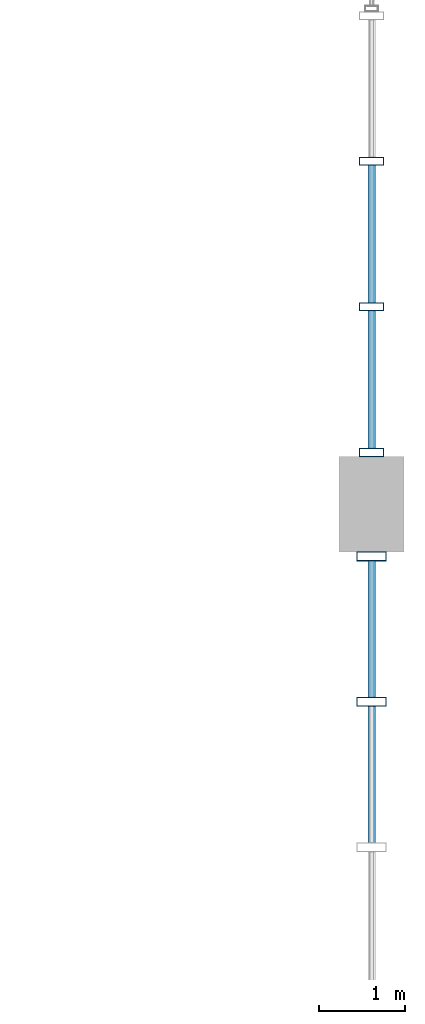
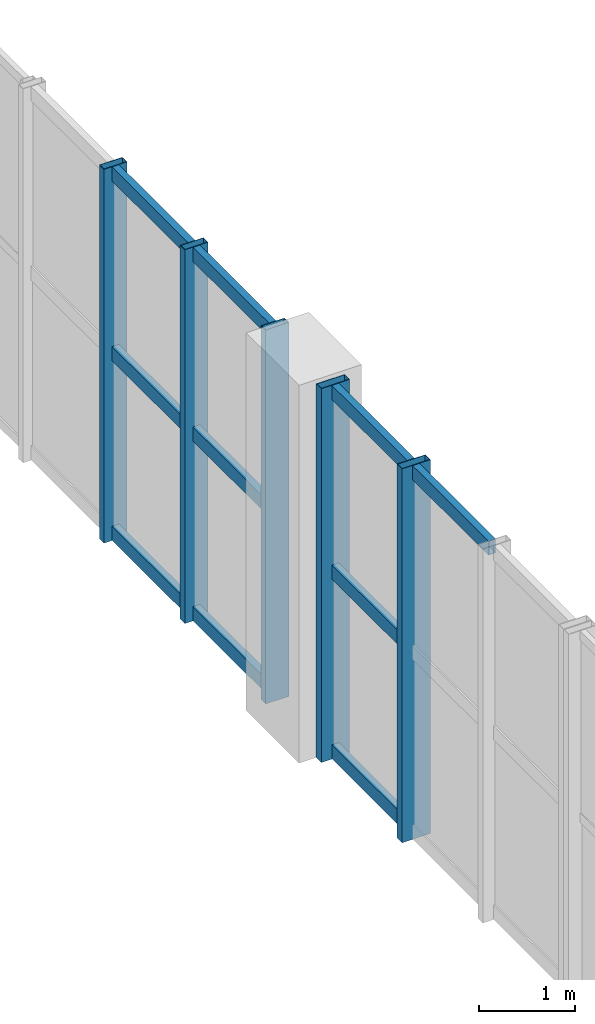
# One storey, part 61 of 106: 15 members, 2 elements without a shape of their own.
"""IFC4 building model written with IfcOpenShell, lengths in metres."""

from ifc_helpers import new_model, si_unit, direction, frame, origin, origin_2d, place, context, subcontext, project, spatial, hollow_rectangle, extrude, material, layer, layer_set, material_profile, profile_set, type_object, element, aggregate, save


model = new_model("IFC4")

# Units and contexts
model_context = context("Model", 3, precision=1e-05, world=origin(), true_north=direction((0.0, 1.0)))
body_context = subcontext(model_context, "Body", "Model", "MODEL_VIEW")
ifc_project = project(units=[si_unit("LENGTHUNIT", "METRE"), si_unit("AREAUNIT", "SQUARE_METRE"), si_unit("VOLUMEUNIT", "CUBIC_METRE"), si_unit("PLANEANGLEUNIT", "RADIAN"), si_unit("MASSUNIT", "GRAM", prefix="KILO"), si_unit("POWERUNIT", "WATT"), si_unit("THERMODYNAMICTEMPERATUREUNIT", "KELVIN")], contexts=[model_context])

# Site, building, storey
site_placement = place(None, origin())
site = spatial("IfcSite", under=ifc_project, at=site_placement, CompositionType="ELEMENT")
building_placement = place(site_placement, origin())
building = spatial("IfcBuilding", under=site, at=building_placement, Name="Kelmbourne Parkland Aquatics Centre", CompositionType="ELEMENT")
storey_placement = place(building_placement, frame((0.0, 0.0, 5.39990234375)))
storey = spatial("IfcBuildingStorey", under=building, at=storey_placement, Name="L01", CompositionType="ELEMENT", Elevation=5.39990234375)

# Curtain wall, members
ifc_material = material(Name="Thermally broken anodised aluminium framing", Category="aluminium")
ifc_layer_1 = layer(ifc_material, 0.179931640625)
ifc_layer_set_1 = layer_set([ifc_layer_1], Name="Thermally broken anodised aluminium framing")
curtain_wall_type_1 = type_object("IfcCurtainWallType", Name="CW-11", PredefinedType="NOTDEFINED", material=ifc_layer_set_1)
curtain_wall_1_placement = place(storey_placement, origin())
curtain_wall_1 = element("IfcCurtainWall", 1, at=curtain_wall_1_placement, inside=storey, type_object=curtain_wall_type_1, Name="Wave-hall clerestory curtain wall CW-L01-083", PredefinedType="NOTDEFINED")
ifc_material_profile_1 = material_profile(ifc_material, hollow_rectangle(XDim=0.094970703125, YDim=0.280029296875, WallThickness=0.005615234375, at=origin_2d()), Name="CW-M 95x280")
ifc_profile_set_1 = profile_set([ifc_material_profile_1], Name="Thermally broken anodised aluminium framing")
member_type_1 = type_object("IfcMemberType", Name="MB-MUL-4", PredefinedType="MULLION", material=ifc_profile_set_1)
member_1_placement = place(storey_placement, frame((175.199951171875, 92.599609375, 0.0), z_axis=(0.0, 0.0, 1.0), x_axis=(0.0, 1.0, 0.0)))
member_1 = element("IfcMember", 2, at=member_1_placement, type_object=member_type_1, Name="CW-L01-083 mullion 0", PredefinedType="MULLION", context=body_context, shape_type="SweptSolid", body=[
    extrude(hollow_rectangle(XDim=0.094970703125, YDim=0.280029296875, WallThickness=0.005615234375, at=origin_2d()), origin(), (0.0, 0.0, 1.0), 4.75),
])
member_2_placement = place(storey_placement, frame((175.199951171875, 94.28369140625, 0.0), z_axis=(0.0, 0.0, 1.0), x_axis=(0.0, 1.0, 0.0)))
member_2 = element("IfcMember", 3, at=member_2_placement, type_object=member_type_1, Name="CW-L01-083 mullion 1", PredefinedType="MULLION", context=body_context, shape_type="SweptSolid", body=[
    extrude(hollow_rectangle(XDim=0.094970703125, YDim=0.280029296875, WallThickness=0.005615234375, at=origin_2d()), origin(), (0.0, 0.0, 1.0), 4.75),
])
member_3_placement = place(storey_placement, frame((175.199951171875, 95.96826171875, 0.0), z_axis=(0.0, 0.0, 1.0), x_axis=(0.0, 1.0, 0.0)))
member_3 = element("IfcMember", 4, at=member_3_placement, type_object=member_type_1, Name="CW-L01-083 mullion 2", PredefinedType="MULLION", context=body_context, shape_type="SweptSolid", body=[
    extrude(hollow_rectangle(XDim=0.094970703125, YDim=0.280029296875, WallThickness=0.005615234375, at=origin_2d()), origin(), (0.0, 0.0, 1.0), 4.75),
])

ifc_layer_2 = layer(ifc_material, 0.179931640625)
ifc_layer_set_2 = layer_set([ifc_layer_2], Name="Thermally broken anodised aluminium framing")
curtain_wall_type_2 = type_object("IfcCurtainWallType", Name="CW-02", PredefinedType="NOTDEFINED", material=ifc_layer_set_2)
curtain_wall_2_placement = place(storey_placement, origin())
curtain_wall_2 = element("IfcCurtainWall", 5, at=curtain_wall_2_placement, inside=storey, type_object=curtain_wall_type_2, Name="Wave-hall clerestory curtain wall CW-L01-074", PredefinedType="NOTDEFINED")
ifc_material_profile_2 = material_profile(ifc_material, hollow_rectangle(XDim=0.10498046875, YDim=0.340087890625, WallThickness=0.006103515625, at=origin_2d()), Name="CW-M 105x340")
ifc_profile_set_2 = profile_set([ifc_material_profile_2], Name="Thermally broken anodised aluminium framing")
member_type_2 = type_object("IfcMemberType", Name="MB-MUL-5", PredefinedType="MULLION", material=ifc_profile_set_2)
member_4_placement = place(storey_placement, frame((175.199951171875, 89.714599609375, 0.0), z_axis=(0.0, 0.0, 1.0), x_axis=(0.0, 1.0, 0.0)))
member_4 = element("IfcMember", 6, at=member_4_placement, type_object=member_type_2, Name="CW-L01-074 mullion 2", PredefinedType="MULLION", context=body_context, shape_type="SweptSolid", body=[
    extrude(hollow_rectangle(XDim=0.10498046875, YDim=0.340087890625, WallThickness=0.006103515625, at=origin_2d()), origin(), (0.0, 0.0, 1.0), 4.75),
])
member_5_placement = place(storey_placement, frame((175.199951171875, 91.3955078125, 0.0), z_axis=(0.0, 0.0, 1.0), x_axis=(0.0, 1.0, 0.0)))
member_5 = element("IfcMember", 7, at=member_5_placement, type_object=member_type_2, Name="CW-L01-074 mullion 3", PredefinedType="MULLION", context=body_context, shape_type="SweptSolid", body=[
    extrude(hollow_rectangle(XDim=0.10498046875, YDim=0.340087890625, WallThickness=0.006103515625, at=origin_2d()), origin(), (0.0, 0.0, 1.0), 4.75),
])
ifc_material_profile_3 = material_profile(ifc_material, hollow_rectangle(XDim=0.0849609375, YDim=0.179931640625, WallThickness=0.00439453125, at=origin_2d()), Name="CW-T 85x180")
ifc_profile_set_3 = profile_set([ifc_material_profile_3], Name="Thermally broken anodised aluminium framing")
member_type_3 = type_object("IfcMemberType", Name="MB-TRN-3", PredefinedType="USERDEFINED", material=ifc_profile_set_3)
member_6_placement = place(storey_placement, frame((175.199951171875, 89.762939453125, 0.093017578125), z_axis=(0.0, 1.0, 0.0), x_axis=(-1.0, 0.0, 0.0)))
member_6 = element("IfcMember", 8, at=member_6_placement, type_object=member_type_3, Name="CW-L01-074 transom 0-2", ObjectType="TRANSOM", PredefinedType="USERDEFINED", context=body_context, shape_type="SweptSolid", body=[
    extrude(hollow_rectangle(XDim=0.0849609375, YDim=0.179931640625, WallThickness=0.00439453125, at=origin_2d()), origin(), (0.0, 0.0, 1.0), 1.583984375),
])
member_7_placement = place(storey_placement, frame((175.199951171875, 89.762939453125, 2.375), z_axis=(0.0, 1.0, 0.0), x_axis=(-1.0, 0.0, 0.0)))
member_7 = element("IfcMember", 9, at=member_7_placement, type_object=member_type_3, Name="CW-L01-074 transom 1-2", ObjectType="TRANSOM", PredefinedType="USERDEFINED", context=body_context, shape_type="SweptSolid", body=[
    extrude(hollow_rectangle(XDim=0.0849609375, YDim=0.179931640625, WallThickness=0.00439453125, at=origin_2d()), origin(), (0.0, 0.0, 1.0), 1.583984375),
])
member_8_placement = place(storey_placement, frame((175.199951171875, 88.08203125, 4.656982421875), z_axis=(0.0, 1.0, 0.0), x_axis=(-1.0, 0.0, 0.0)))
member_8 = element("IfcMember", 10, at=member_8_placement, type_object=member_type_3, Name="CW-L01-074 transom 2-1", ObjectType="TRANSOM", PredefinedType="USERDEFINED", context=body_context, shape_type="SweptSolid", body=[
    extrude(hollow_rectangle(XDim=0.0849609375, YDim=0.179931640625, WallThickness=0.00439453125, at=origin_2d()), origin(), (0.0, 0.0, 1.0), 1.583984375),
])
member_9_placement = place(storey_placement, frame((175.199951171875, 89.762939453125, 4.656982421875), z_axis=(0.0, 1.0, 0.0), x_axis=(-1.0, 0.0, 0.0)))
member_9 = element("IfcMember", 11, at=member_9_placement, type_object=member_type_3, Name="CW-L01-074 transom 2-2", ObjectType="TRANSOM", PredefinedType="USERDEFINED", context=body_context, shape_type="SweptSolid", body=[
    extrude(hollow_rectangle(XDim=0.0849609375, YDim=0.179931640625, WallThickness=0.00439453125, at=origin_2d()), origin(), (0.0, 0.0, 1.0), 1.583984375),
])
aggregate(curtain_wall_2, [member_4, member_5, member_6, member_7, member_8, member_9])

# Member
member_10_placement = place(storey_placement, frame((175.199951171875, 92.64306640625, 0.093017578125), z_axis=(0.0, 1.0, 0.0), x_axis=(-1.0, 0.0, 0.0)))
member_10 = element("IfcMember", 12, at=member_10_placement, type_object=member_type_3, Name="CW-L01-083 transom 0-0", ObjectType="TRANSOM", PredefinedType="USERDEFINED", context=body_context, shape_type="SweptSolid", body=[
    extrude(hollow_rectangle(XDim=0.0849609375, YDim=0.179931640625, WallThickness=0.00439453125, at=origin_2d()), origin(), (0.0, 0.0, 1.0), 1.59716796875),
])

member_11_placement = place(storey_placement, frame((175.199951171875, 94.327392578125, 0.093017578125), z_axis=(0.0, 1.0, 0.0), x_axis=(-1.0, 0.0, 0.0)))
member_11 = element("IfcMember", 13, at=member_11_placement, type_object=member_type_3, Name="CW-L01-083 transom 0-1", ObjectType="TRANSOM", PredefinedType="USERDEFINED", context=body_context, shape_type="SweptSolid", body=[
    extrude(hollow_rectangle(XDim=0.0849609375, YDim=0.179931640625, WallThickness=0.00439453125, at=origin_2d()), origin(), (0.0, 0.0, 1.0), 1.597412109375),
])

member_12_placement = place(storey_placement, frame((175.199951171875, 92.64306640625, 2.375), z_axis=(0.0, 1.0, 0.0), x_axis=(-1.0, 0.0, 0.0)))
member_12 = element("IfcMember", 14, at=member_12_placement, type_object=member_type_3, Name="CW-L01-083 transom 1-0", ObjectType="TRANSOM", PredefinedType="USERDEFINED", context=body_context, shape_type="SweptSolid", body=[
    extrude(hollow_rectangle(XDim=0.0849609375, YDim=0.179931640625, WallThickness=0.00439453125, at=origin_2d()), origin(), (0.0, 0.0, 1.0), 1.59716796875),
])

member_13_placement = place(storey_placement, frame((175.199951171875, 94.327392578125, 2.375), z_axis=(0.0, 1.0, 0.0), x_axis=(-1.0, 0.0, 0.0)))
member_13 = element("IfcMember", 15, at=member_13_placement, type_object=member_type_3, Name="CW-L01-083 transom 1-1", ObjectType="TRANSOM", PredefinedType="USERDEFINED", context=body_context, shape_type="SweptSolid", body=[
    extrude(hollow_rectangle(XDim=0.0849609375, YDim=0.179931640625, WallThickness=0.00439453125, at=origin_2d()), origin(), (0.0, 0.0, 1.0), 1.597412109375),
])

member_14_placement = place(storey_placement, frame((175.199951171875, 92.64306640625, 4.656982421875), z_axis=(0.0, 1.0, 0.0), x_axis=(-1.0, 0.0, 0.0)))
member_14 = element("IfcMember", 16, at=member_14_placement, type_object=member_type_3, Name="CW-L01-083 transom 2-0", ObjectType="TRANSOM", PredefinedType="USERDEFINED", context=body_context, shape_type="SweptSolid", body=[
    extrude(hollow_rectangle(XDim=0.0849609375, YDim=0.179931640625, WallThickness=0.00439453125, at=origin_2d()), origin(), (0.0, 0.0, 1.0), 1.59716796875),
])

member_15_placement = place(storey_placement, frame((175.199951171875, 94.327392578125, 4.656982421875), z_axis=(0.0, 1.0, 0.0), x_axis=(-1.0, 0.0, 0.0)))
member_15 = element("IfcMember", 17, at=member_15_placement, type_object=member_type_3, Name="CW-L01-083 transom 2-1", ObjectType="TRANSOM", PredefinedType="USERDEFINED", context=body_context, shape_type="SweptSolid", body=[
    extrude(hollow_rectangle(XDim=0.0849609375, YDim=0.179931640625, WallThickness=0.00439453125, at=origin_2d()), origin(), (0.0, 0.0, 1.0), 1.597412109375),
])

aggregate(curtain_wall_1, [member_1, member_2, member_3, member_10, member_11, member_12, member_13, member_14, member_15])

save(model, "model.ifc")
